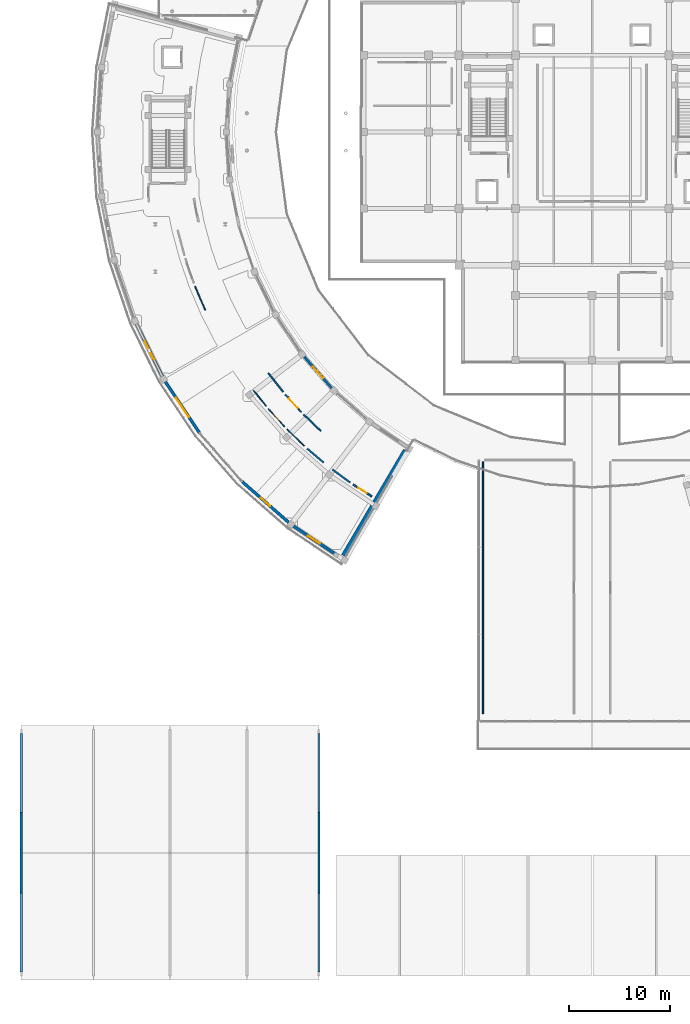
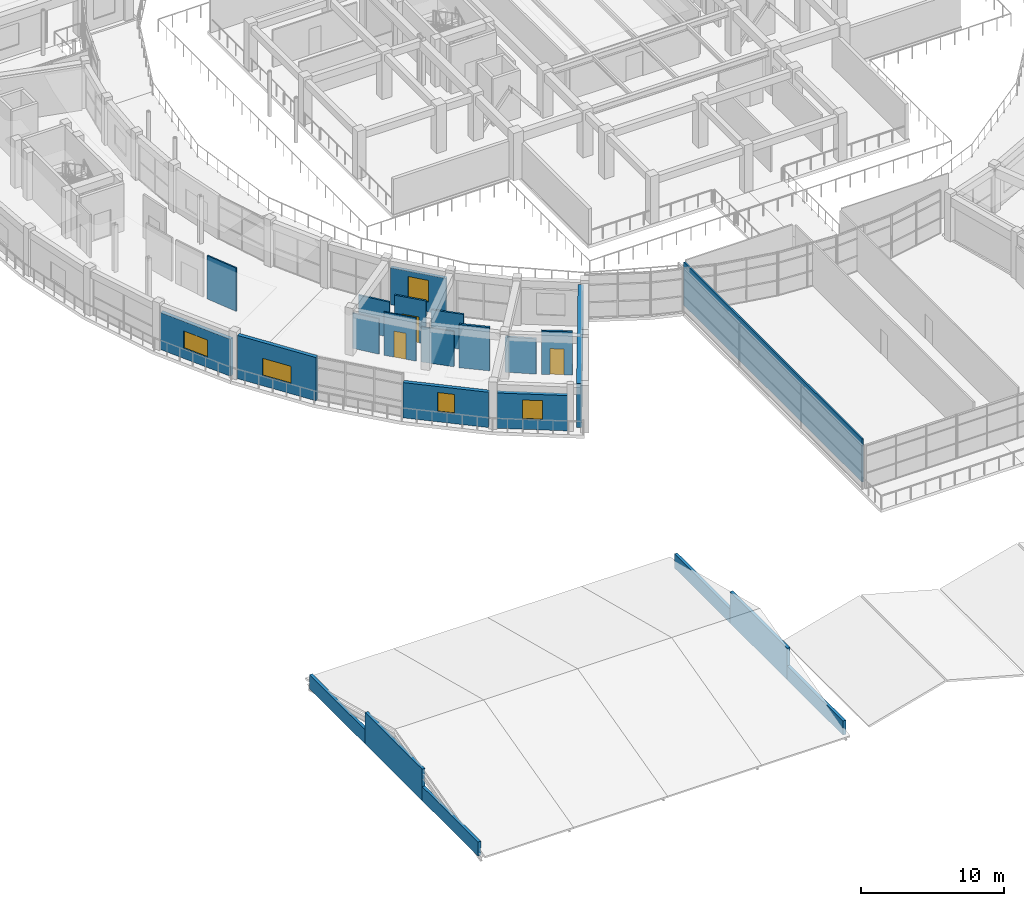
# One storey, part 53 of 83: 23 walls, 5 windows, 3 doors, 8 openings.
"""IFC4 building model written with IfcOpenShell, lengths in metres."""

from ifc_helpers import new_model, si_unit, direction, frame, frame_2d, origin, place, context, subcontext, project, spatial, rectangle, extrude, material, layer, layer_set, type_object, element, fill, save


model = new_model("IFC4")

# Units and contexts
model_context = context("Model", 3, precision=1e-05, world=origin(), true_north=direction((0.0, 1.0)))
body_context = subcontext(model_context, "Body", "Model", "MODEL_VIEW")
ifc_project = project(units=[si_unit("LENGTHUNIT", "METRE"), si_unit("AREAUNIT", "SQUARE_METRE"), si_unit("VOLUMEUNIT", "CUBIC_METRE"), si_unit("PLANEANGLEUNIT", "RADIAN"), si_unit("MASSUNIT", "GRAM", prefix="KILO")], contexts=[model_context])

# Site, building, storey
site_placement = place(None, origin())
site = spatial("IfcSite", under=ifc_project, at=site_placement, CompositionType="ELEMENT")
building_placement = place(site_placement, origin())
building = spatial("IfcBuilding", under=site, at=building_placement, Name="Saryqyr Civic Hall", CompositionType="ELEMENT")
storey_placement = place(building_placement, frame((0.0, 0.0, 9.14990234375)))
storey = spatial("IfcBuildingStorey", under=building, at=storey_placement, Name="L02", CompositionType="ELEMENT", Elevation=9.14990234375)

# Wall, opening, window
ifc_material_1 = material(Name="Precast concrete C40/50", Category="concrete")
ifc_layer_1 = layer(ifc_material_1, 0.239990234375, Name="Precast concrete C40/50")
ifc_layer_set_1 = layer_set([ifc_layer_1], Name="Precast concrete C40/50")
wall_type_1 = type_object("IfcWallType", Name="ENV-WAL-EXT-240", PredefinedType="STANDARD", material=ifc_layer_set_1)
wall_1_placement = place(storey_placement, frame((28.48681640625, 61.727783203125, 0.0), z_axis=(0.0, 0.0, 1.0), x_axis=(0.659315893108, -0.751866047308, 0.0)))
wall_1 = element("IfcWall", 1, at=wall_1_placement, inside=storey, type_object=wall_type_1, Name="Exterior wall V4-EWI-L02-07", PredefinedType="STANDARD", context=body_context, shape_type="SweptSolid", body=[
    extrude(rectangle(XDim=4.10986328125, YDim=0.239990234375, at=frame_2d((2.054931640625, 0.0))), origin(), (0.0, 0.0, 1.0), 3.1650390625),
])
opening_1_placement = place(wall_1_placement, frame((1.304931640625, 0.0, 0.85009765625)))
opening_1 = element("IfcOpeningElement", 2, at=opening_1_placement, cuts=wall_1, Name="Opening W-26", PredefinedType="OPENING", context=body_context, shape_type="SweptSolid", body=[
    extrude(rectangle(XDim=1.5, YDim=1.85009765625, at=frame_2d((0.75, 0.925048828125))), frame((0.0, 0.1298828125, 0.0), z_axis=(0.0, -1.0, 0.0), x_axis=(1.0, 0.0, 0.0)), (0.0, 0.0, 1.0), 0.260009765625),
])
ifc_material_2 = material(Name="Anodised aluminium and triple low-E glass", Category="aluminium")
window_type_1 = type_object("IfcWindowType", Name="ENV-WIN-W26", PartitioningType="SINGLE_PANEL", PredefinedType="WINDOW", material=ifc_material_2)
window_1_placement = place(opening_1_placement, origin())
window_1 = element("IfcWindow", 3, at=window_1_placement, inside=storey, type_object=window_type_1, Name="Courtyard window V4-L02-07", OverallHeight=1.85009765625, OverallWidth=1.5, PartitioningType="SINGLE_PANEL", PredefinedType="WINDOW", context=body_context, shape_type="SweptSolid", body=[
    extrude(rectangle(XDim=1.5, YDim=1.85009765625, at=frame_2d((0.75, 0.925048828125))), frame((0.0, 0.030029296875, 0.0), z_axis=(0.0, -1.0, 0.0), x_axis=(1.0, 0.0, 0.0)), (0.0, 0.0, 1.0), 0.06005859375),
])
fill(opening_1, window_1)

# Walls
wall_2_placement = place(storey_placement, frame((0.449951171875, 0.800048828125, -0.39990234375), z_axis=(0.0, 0.0, 1.0), x_axis=(0.0, 1.0, 0.0)))
element("IfcWall", 4, at=wall_2_placement, inside=storey, type_object=wall_type_1, Name="Boulevard gatehouse gable wall W-W1", PredefinedType="STANDARD", context=body_context, shape_type="SweptSolid", body=[
    extrude(rectangle(XDim=7.800048828125, YDim=0.239990234375, at=frame_2d((3.89990234375, 0.0))), origin(), (0.0, 0.0, 1.0), 1.199951171875),
])
wall_3_placement = place(storey_placement, frame((0.449951171875, 8.60009765625, -0.39990234375), z_axis=(0.0, 0.0, 1.0), x_axis=(0.0, 1.0, 0.0)))
element("IfcWall", 5, at=wall_3_placement, inside=storey, type_object=wall_type_1, Name="Boulevard gatehouse gable wall W-W2", PredefinedType="STANDARD", context=body_context, shape_type="SweptSolid", body=[
    extrude(rectangle(XDim=8.0, YDim=0.239990234375, at=frame_2d((4.0, 0.0))), origin(), (0.0, 0.0, 1.0), 2.699951171875),
])
wall_4_placement = place(storey_placement, frame((0.449951171875, 16.60009765625, -0.39990234375), z_axis=(0.0, 0.0, 1.0), x_axis=(0.0, 1.0, 0.0)))
element("IfcWall", 6, at=wall_4_placement, inside=storey, type_object=wall_type_1, Name="Boulevard gatehouse gable wall W-W3", PredefinedType="STANDARD", context=body_context, shape_type="SweptSolid", body=[
    extrude(rectangle(XDim=7.7998046875, YDim=0.239990234375, at=frame_2d((3.89990234375, 0.0))), origin(), (0.0, 0.0, 1.0), 1.199951171875),
])
wall_5_placement = place(storey_placement, frame((29.949951171875, 8.60009765625, -0.39990234375), z_axis=(0.0, 0.0, 1.0), x_axis=(0.0, -1.0, 0.0)))
element("IfcWall", 7, at=wall_5_placement, inside=storey, type_object=wall_type_1, Name="Boulevard gatehouse gable wall W-E1", PredefinedType="STANDARD", context=body_context, shape_type="SweptSolid", body=[
    extrude(rectangle(XDim=7.800048828125, YDim=0.239990234375, at=frame_2d((3.89990234375, 0.0))), origin(), (0.0, 0.0, 1.0), 1.199951171875),
])
wall_6_placement = place(storey_placement, frame((29.949951171875, 16.60009765625, -0.39990234375), z_axis=(0.0, 0.0, 1.0), x_axis=(0.0, -1.0, 0.0)))
element("IfcWall", 8, at=wall_6_placement, inside=storey, type_object=wall_type_1, Name="Boulevard gatehouse gable wall W-E2", PredefinedType="STANDARD", context=body_context, shape_type="SweptSolid", body=[
    extrude(rectangle(XDim=8.0, YDim=0.239990234375, at=frame_2d((4.0, 0.0))), origin(), (0.0, 0.0, 1.0), 2.699951171875),
])
wall_7_placement = place(storey_placement, frame((29.949951171875, 24.39990234375, -0.39990234375), z_axis=(0.0, 0.0, 1.0), x_axis=(0.0, -1.0, 0.0)))
element("IfcWall", 9, at=wall_7_placement, inside=storey, type_object=wall_type_1, Name="Boulevard gatehouse gable wall W-E3", PredefinedType="STANDARD", context=body_context, shape_type="SweptSolid", body=[
    extrude(rectangle(XDim=7.7998046875, YDim=0.239990234375, at=frame_2d((3.89990234375, 0.0))), origin(), (0.0, 0.0, 1.0), 1.199951171875),
])

# Wall, opening, window
ifc_layer_2 = layer(ifc_material_1, 0.2900390625, Name="Precast concrete C40/50")
ifc_layer_set_2 = layer_set([ifc_layer_2], Name="Precast concrete C40/50")
wall_type_2 = type_object("IfcWallType", Name="ENV-WAL-EXT-290", PredefinedType="STANDARD", material=ifc_layer_set_2)
wall_8_placement = place(storey_placement, frame((14.448974609375, 59.735107421875, 0.0), z_axis=(0.0, 0.0, 1.0), x_axis=(-0.442328593944, 0.89685306209, 0.0)))
wall_8 = element("IfcWall", 10, at=wall_8_placement, inside=storey, type_object=wall_type_2, Name="Exterior wall V4-EWO-L02-05", PredefinedType="STANDARD", context=body_context, shape_type="SweptSolid", body=[
    extrude(rectangle(XDim=5.885498046875, YDim=0.2900390625, at=frame_2d((2.94287109375, 0.0))), origin(), (0.0, 0.0, 1.0), 3.1650390625),
])
opening_2_placement = place(wall_8_placement, frame((1.943115234375, 0.0, 0.85009765625)))
opening_2 = element("IfcOpeningElement", 11, at=opening_2_placement, cuts=wall_8, Name="Opening W-14", PredefinedType="OPENING", context=body_context, shape_type="SweptSolid", body=[
    extrude(rectangle(XDim=2.0, YDim=1.5, at=frame_2d((1.0, 0.75))), frame((0.0, 0.155029296875, 0.0), z_axis=(0.0, -1.0, 0.0), x_axis=(1.0, 0.0, 0.0)), (0.0, 0.0, 1.0), 0.31005859375),
])
window_type_2 = type_object("IfcWindowType", Name="ENV-WIN-W14", PartitioningType="SINGLE_PANEL", PredefinedType="WINDOW", material=ifc_material_2)
window_2_placement = place(opening_2_placement, origin())
window_2 = element("IfcWindow", 12, at=window_2_placement, inside=storey, type_object=window_type_2, Name="Exterior ribbon window V4-L02-05", OverallHeight=1.5, OverallWidth=2.0, PartitioningType="SINGLE_PANEL", PredefinedType="WINDOW", context=body_context, shape_type="SweptSolid", body=[
    extrude(rectangle(XDim=2.0, YDim=1.5, at=frame_2d((1.0, 0.75))), frame((0.0, 0.030029296875, 0.0), z_axis=(0.0, -1.0, 0.0), x_axis=(1.0, 0.0, 0.0)), (0.0, 0.0, 1.0), 0.06005859375),
])
fill(opening_2, window_2)

wall_9_placement = place(storey_placement, frame((18.125732421875, 54.170654296875, 0.0), z_axis=(0.0, 0.0, 1.0), x_axis=(-0.555591845488, 0.831455170907, 0.0)))
wall_9 = element("IfcWall", 13, at=wall_9_placement, inside=storey, type_object=wall_type_2, Name="Exterior wall V4-EWO-L02-06", PredefinedType="STANDARD", context=body_context, shape_type="SweptSolid", body=[
    extrude(rectangle(XDim=6.126953125, YDim=0.2900390625, at=frame_2d((3.0634765625, 0.0))), origin(), (0.0, 0.0, 1.0), 3.7001953125),
])
opening_3_placement = place(wall_9_placement, frame((1.93798828125, 0.0, 0.85009765625)))
opening_3 = element("IfcOpeningElement", 14, at=opening_3_placement, cuts=wall_9, Name="Opening W-15", PredefinedType="OPENING", context=body_context, shape_type="SweptSolid", body=[
    extrude(rectangle(XDim=2.25, YDim=1.5, at=frame_2d((1.125, 0.75))), frame((0.0, 0.155029296875, 0.0), z_axis=(0.0, -1.0, 0.0), x_axis=(1.0, 0.0, 0.0)), (0.0, 0.0, 1.0), 0.31005859375),
])
window_type_3 = type_object("IfcWindowType", Name="ENV-WIN-W15", PartitioningType="SINGLE_PANEL", PredefinedType="WINDOW", material=ifc_material_2)
window_3_placement = place(opening_3_placement, origin())
window_3 = element("IfcWindow", 15, at=window_3_placement, inside=storey, type_object=window_type_3, Name="Exterior ribbon window V4-L02-06", OverallHeight=1.5, OverallWidth=2.25, PartitioningType="SINGLE_PANEL", PredefinedType="WINDOW", context=body_context, shape_type="SweptSolid", body=[
    extrude(rectangle(XDim=2.25, YDim=1.5, at=frame_2d((1.125, 0.75))), frame((0.0, 0.030029296875, 0.0), z_axis=(0.0, -1.0, 0.0), x_axis=(1.0, 0.0, 0.0)), (0.0, 0.0, 1.0), 0.06005859375),
])
fill(opening_3, window_3)

wall_10_placement = place(storey_placement, frame((26.935791015625, 45.331787109375, 0.0), z_axis=(0.0, 0.0, 1.0), x_axis=(-0.751841992355, 0.659343323718, 0.0)))
wall_10 = element("IfcWall", 16, at=wall_10_placement, inside=storey, type_object=wall_type_2, Name="Exterior wall V4-EWO-L02-08", PredefinedType="STANDARD", context=body_context, shape_type="SweptSolid", body=[
    extrude(rectangle(XDim=6.096923828125, YDim=0.2900390625, at=frame_2d((3.04833984375, 0.0))), origin(), (0.0, 0.0, 1.0), 3.01513671875),
])
opening_4_placement = place(wall_10_placement, frame((2.447998046875, 0.0, 0.85009765625)))
opening_4 = element("IfcOpeningElement", 17, at=opening_4_placement, cuts=wall_10, Name="Opening W-17", PredefinedType="OPENING", context=body_context, shape_type="SweptSolid", body=[
    extrude(rectangle(XDim=1.199951171875, YDim=1.64990234375, at=frame_2d((0.60009765625, 0.824951171875))), frame((0.0, 0.155029296875, 0.0), z_axis=(0.0, -1.0, 0.0), x_axis=(1.0, 0.0, 0.0)), (0.0, 0.0, 1.0), 0.31005859375),
])
window_type_4 = type_object("IfcWindowType", Name="ENV-WIN-W17", PartitioningType="SINGLE_PANEL", PredefinedType="WINDOW", material=ifc_material_2)
window_4_placement = place(opening_4_placement, origin())
window_4 = element("IfcWindow", 18, at=window_4_placement, inside=storey, type_object=window_type_4, Name="Exterior ribbon window V4-L02-08", OverallHeight=1.64990234375, OverallWidth=1.199951171875, PartitioningType="SINGLE_PANEL", PredefinedType="WINDOW", context=body_context, shape_type="SweptSolid", body=[
    extrude(rectangle(XDim=1.199951171875, YDim=1.64990234375, at=frame_2d((0.60009765625, 0.824951171875))), frame((0.0, 0.030029296875, 0.0), z_axis=(0.0, -1.0, 0.0), x_axis=(1.0, 0.0, 0.0)), (0.0, 0.0, 1.0), 0.06005859375),
])
fill(opening_4, window_4)

wall_11_placement = place(storey_placement, frame((31.49365234375, 42.2373046875, 0.0), z_axis=(0.0, 0.0, 1.0), x_axis=(-0.831469224941, 0.555570812747, 0.0)))
wall_11 = element("IfcWall", 19, at=wall_11_placement, inside=storey, type_object=wall_type_2, Name="Exterior wall V4-EWO-L02-09", PredefinedType="STANDARD", context=body_context, shape_type="SweptSolid", body=[
    extrude(rectangle(XDim=4.91650390625, YDim=0.2900390625, at=frame_2d((2.458251953125, 0.0))), origin(), (0.0, 0.0, 1.0), 3.01513671875),
])
opening_5_placement = place(wall_11_placement, frame((1.758056640625, 0.0, 0.85009765625)))
opening_5 = element("IfcOpeningElement", 20, at=opening_5_placement, cuts=wall_11, Name="Opening W-18", PredefinedType="OPENING", context=body_context, shape_type="SweptSolid", body=[
    extrude(rectangle(XDim=1.39990234375, YDim=1.64990234375, at=frame_2d((0.699951171875, 0.824951171875))), frame((0.0, 0.155029296875, 0.0), z_axis=(0.0, -1.0, 0.0), x_axis=(1.0, 0.0, 0.0)), (0.0, 0.0, 1.0), 0.31005859375),
])
window_type_5 = type_object("IfcWindowType", Name="ENV-WIN-W18", PartitioningType="SINGLE_PANEL", PredefinedType="WINDOW", material=ifc_material_2)
window_5_placement = place(opening_5_placement, origin())
window_5 = element("IfcWindow", 21, at=window_5_placement, inside=storey, type_object=window_type_5, Name="Exterior ribbon window V4-L02-09", OverallHeight=1.64990234375, OverallWidth=1.39990234375, PartitioningType="SINGLE_PANEL", PredefinedType="WINDOW", context=body_context, shape_type="SweptSolid", body=[
    extrude(rectangle(XDim=1.39990234375, YDim=1.64990234375, at=frame_2d((0.699951171875, 0.824951171875))), frame((0.0, 0.030029296875, 0.0), z_axis=(0.0, -1.0, 0.0), x_axis=(1.0, 0.0, 0.0)), (0.0, 0.0, 1.0), 0.06005859375),
])
fill(opening_5, window_5)

# Walls
ifc_material_3 = material(Name="Concrete C40/50", Category="concrete")
ifc_layer_3 = layer(ifc_material_3, 0.3798828125, Name="Concrete C40/50")
ifc_layer_set_3 = layer_set([ifc_layer_3], Name="Concrete C40/50")
wall_type_3 = type_object("IfcWallType", Name="ENV-WAL-PTY-380", PredefinedType="SHEAR", material=ifc_layer_set_3)
wall_12_placement = place(storey_placement, frame((38.47705078125, 52.4912109375, 0.0), z_axis=(0.0, 0.0, 1.0), x_axis=(-0.506804958987, -0.862060748177, 0.0)))
element("IfcWall", 22, at=wall_12_placement, inside=storey, type_object=wall_type_3, Name="Exterior wall V4-JNTW-B-L02", PredefinedType="SHEAR", context=body_context, shape_type="SweptSolid", body=[
    extrude(rectangle(XDim=12.099853515625, YDim=0.3798828125, at=frame_2d((6.0498046875, 0.0))), origin(), (0.0, 0.0, 1.0), 3.75),
])
ifc_material_4 = material(Name="Lightweight demountable partition", Category="gypsum")
ifc_layer_4 = layer(ifc_material_4, 0.094970703125, Name="Lightweight demountable partition")
ifc_layer_set_4 = layer_set([ifc_layer_4], Name="Lightweight demountable partition")
wall_type_4 = type_object("IfcWallType", Name="INT-WAL-PRT-095", PredefinedType="PARTITIONING", material=ifc_layer_set_4)
wall_13_placement = place(storey_placement, frame((23.462158203125, 58.409912109375, 0.0), z_axis=(0.0, 0.0, 1.0), x_axis=(0.621895340231, -0.78310036764, 0.0)))
element("IfcWall", 23, at=wall_13_placement, inside=storey, type_object=wall_type_4, Name="Interior partition PRT-SP-V4-L02-R03-W1", PredefinedType="PARTITIONING", context=body_context, shape_type="SweptSolid", body=[
    extrude(rectangle(XDim=2.002197265625, YDim=0.094970703125, at=frame_2d((1.0009765625, 0.0))), origin(), (0.0, 0.0, 1.0), 3.01513671875),
])

# Wall, opening, door
wall_14_placement = place(storey_placement, frame((24.93994140625, 56.567626953125, 0.0), z_axis=(0.0, 0.0, 1.0), x_axis=(0.671247426607, -0.741233358851, 0.0)))
wall_14 = element("IfcWall", 24, at=wall_14_placement, inside=storey, type_object=wall_type_4, Name="Interior partition PRT-SP-V4-L02-R03-W2", PredefinedType="PARTITIONING", context=body_context, shape_type="SweptSolid", body=[
    extrude(rectangle(XDim=2.3720703125, YDim=0.094970703125, at=frame_2d((1.18603515625, 0.0))), origin(), (0.0, 0.0, 1.0), 3.7001953125),
])
opening_6_placement = place(wall_14_placement, frame((0.736083984375, 0.0, 0.0)))
opening_6 = element("IfcOpeningElement", 25, at=opening_6_placement, cuts=wall_14, Name="Opening D-09", PredefinedType="OPENING", context=body_context, shape_type="SweptSolid", body=[
    extrude(rectangle(XDim=0.89990234375, YDim=2.219970703125, at=frame_2d((0.449951171875, 1.10986328125))), frame((0.0, 0.057373046875, 0.0), z_axis=(0.0, -1.0, 0.0), x_axis=(1.0, 0.0, 0.0)), (0.0, 0.0, 1.0), 0.114990234375),
])
ifc_material_5 = material(Name="Acoustic solid-core oak veneer", Category="wood")
door_type_1 = type_object("IfcDoorType", Name="INT-DR-D-09", OperationType="NOTDEFINED", PredefinedType="DOOR", material=ifc_material_5)
door_1_placement = place(opening_6_placement, origin())
door_1 = element("IfcDoor", 26, at=door_1_placement, inside=storey, type_object=door_type_1, Name="Interior door Committee Caucus & Witness Briefing Room", OperationType="SINGLE_SWING_RIGHT", OverallHeight=2.219970703125, OverallWidth=0.89990234375, PredefinedType="DOOR", context=body_context, shape_type="SweptSolid", body=[
    extrude(rectangle(XDim=0.89990234375, YDim=2.219970703125, at=frame_2d((0.449951171875, 1.10986328125))), frame((0.0, 0.02490234375, 0.0), z_axis=(0.0, -1.0, 0.0), x_axis=(1.0, 0.0, 0.0)), (0.0, 0.0, 1.0), 0.050048828125),
])
fill(opening_6, door_1)

# Walls
wall_15_placement = place(storey_placement, frame((26.7822265625, 54.550537109375, 0.0), z_axis=(0.0, 0.0, 1.0), x_axis=(0.717780363552, -0.696269595559, 0.0)))
element("IfcWall", 27, at=wall_15_placement, inside=storey, type_object=wall_type_4, Name="Interior partition PRT-SP-V4-L02-R03-W3", PredefinedType="PARTITIONING", context=body_context, shape_type="SweptSolid", body=[
    extrude(rectangle(XDim=2.3720703125, YDim=0.094970703125, at=frame_2d((1.18603515625, 0.0))), origin(), (0.0, 0.0, 1.0), 3.01513671875),
])
ifc_material_6 = material(Name="Moisture-resistant gypsum partition", Category="gypsum")
ifc_layer_5 = layer(ifc_material_6, 0.110107421875, Name="Moisture-resistant gypsum partition")
ifc_layer_set_5 = layer_set([ifc_layer_5], Name="Moisture-resistant gypsum partition")
wall_type_5 = type_object("IfcWallType", Name="INT-WAL-PRT-110", PredefinedType="PARTITIONING", material=ifc_layer_set_5)
wall_16_placement = place(storey_placement, frame((17.677490234375, 68.7001953125, 0.0), z_axis=(0.0, 0.0, 1.0), x_axis=(0.390675039695, -0.920528659716, 0.0)))
element("IfcWall", 28, at=wall_16_placement, inside=storey, type_object=wall_type_5, Name="Interior partition PRT-SP-V4-L02-R02-W2", PredefinedType="PARTITIONING", context=body_context, shape_type="SweptSolid", body=[
    extrude(rectangle(XDim=2.553955078125, YDim=0.110107421875, at=frame_2d((1.27685546875, 0.0))), origin(), (0.0, 0.0, 1.0), 3.7001953125),
])
ifc_material_7 = material(Name="Metal-stud gypsum board partition", Category="gypsum")
ifc_layer_6 = layer(ifc_material_7, 0.125, Name="Metal-stud gypsum board partition")
ifc_layer_set_6 = layer_set([ifc_layer_6], Name="Metal-stud gypsum board partition")
wall_type_6 = type_object("IfcWallType", Name="INT-WAL-PRT-125", PredefinedType="PARTITIONING", material=ifc_layer_set_6)
wall_17_placement = place(storey_placement, frame((46.199951171875, 26.3798828125, 0.0), z_axis=(0.0, 0.0, 1.0), x_axis=(0.0, 1.0, 0.0)))
element("IfcWall", 29, at=wall_17_placement, inside=storey, type_object=wall_type_6, Name="Interior partition PRT-SP-V2-L02-SGAL-W2", PredefinedType="PARTITIONING", context=body_context, shape_type="SweptSolid", body=[
    extrude(rectangle(XDim=24.940185546875, YDim=0.125, at=frame_2d((12.47021484375, 0.0))), origin(), (0.0, 0.0, 1.0), 3.690185546875),
])

# Wall, opening, door
ifc_layer_7 = layer(ifc_material_7, 0.139892578125, Name="Metal-stud gypsum board partition")
ifc_layer_set_7 = layer_set([ifc_layer_7], Name="Metal-stud gypsum board partition")
wall_type_7 = type_object("IfcWallType", Name="INT-WAL-PRT-140", PredefinedType="PARTITIONING", material=ifc_layer_set_7)
wall_18_placement = place(storey_placement, frame((28.186279296875, 56.263427734375, 0.0), z_axis=(0.0, 0.0, 1.0), x_axis=(-0.672224743142, 0.740347144728, 0.0)))
wall_18 = element("IfcWall", 30, at=wall_18_placement, inside=storey, type_object=wall_type_7, Name="Interior partition PRT-SP-V4-L02-R06-W1", PredefinedType="PARTITIONING", context=body_context, shape_type="SweptSolid", body=[
    extrude(rectangle(XDim=2.3330078125, YDim=0.139892578125, at=frame_2d((1.16650390625, 0.0))), origin(), (0.0, 0.0, 1.0), 3.7001953125),
])
opening_7_placement = place(wall_18_placement, frame((0.51708984375, 0.0, 0.0)))
opening_7 = element("IfcOpeningElement", 31, at=opening_7_placement, cuts=wall_18, Name="Opening D-12", PredefinedType="OPENING", context=body_context, shape_type="SweptSolid", body=[
    extrude(rectangle(XDim=1.300048828125, YDim=2.219970703125, at=frame_2d((0.64990234375, 1.10986328125))), frame((0.0, 0.079833984375, 0.0), z_axis=(0.0, -1.0, 0.0), x_axis=(1.0, 0.0, 0.0)), (0.0, 0.0, 1.0), 0.159912109375),
])
door_type_2 = type_object("IfcDoorType", Name="INT-DR-D-12", OperationType="NOTDEFINED", PredefinedType="DOOR", material=ifc_material_5)
door_2_placement = place(opening_7_placement, origin())
door_2 = element("IfcDoor", 32, at=door_2_placement, inside=storey, type_object=door_type_2, Name="Interior door Land Cadastre Review Office", OperationType="SINGLE_SWING_LEFT", OverallHeight=2.219970703125, OverallWidth=1.300048828125, PredefinedType="DOOR", context=body_context, shape_type="SweptSolid", body=[
    extrude(rectangle(XDim=1.300048828125, YDim=2.219970703125, at=frame_2d((0.64990234375, 1.10986328125))), frame((0.0, 0.02490234375, 0.0), z_axis=(0.0, -1.0, 0.0), x_axis=(1.0, 0.0, 0.0)), (0.0, 0.0, 1.0), 0.050048828125),
])
fill(opening_7, door_2)

# Walls
wall_19_placement = place(storey_placement, frame((26.385009765625, 58.26513671875, 0.0), z_axis=(0.0, 0.0, 1.0), x_axis=(-0.620820865168, 0.783952456066, 0.0)))
element("IfcWall", 33, at=wall_19_placement, inside=storey, type_object=wall_type_7, Name="Interior partition PRT-SP-V4-L02-R06-W2", PredefinedType="PARTITIONING", context=body_context, shape_type="SweptSolid", body=[
    extrude(rectangle(XDim=2.333251953125, YDim=0.139892578125, at=frame_2d((1.16650390625, 0.0))), origin(), (0.0, 0.0, 1.0), 3.01513671875),
])
wall_20_placement = place(storey_placement, frame((30.117919921875, 54.387451171875, 0.0), z_axis=(0.0, 0.0, 1.0), x_axis=(-0.720477050032, 0.69347878149, 0.0)))
element("IfcWall", 34, at=wall_20_placement, inside=storey, type_object=wall_type_7, Name="Interior partition PRT-SP-V4-L02-R06-W3", PredefinedType="PARTITIONING", context=body_context, shape_type="SweptSolid", body=[
    extrude(rectangle(XDim=2.3330078125, YDim=0.139892578125, at=frame_2d((1.16650390625, 0.0))), origin(), (0.0, 0.0, 1.0), 3.01513671875),
])
ifc_material_8 = material(Name="Acoustic double-stud gypsum board", Category="gypsum")
ifc_layer_8 = layer(ifc_material_8, 0.169921875, Name="Acoustic double-stud gypsum board")
ifc_layer_set_8 = layer_set([ifc_layer_8], Name="Acoustic double-stud gypsum board")
wall_type_8 = type_object("IfcWallType", Name="INT-WAL-PRT-170", PredefinedType="PARTITIONING", material=ifc_layer_set_8)
wall_21_placement = place(storey_placement, frame((31.27978515625, 50.563232421875, 0.0), z_axis=(0.0, 0.0, 1.0), x_axis=(0.805611783676, -0.59244379818, 0.0)))
element("IfcWall", 35, at=wall_21_placement, inside=storey, type_object=wall_type_8, Name="Interior partition PRT-SP-V4-L02-R04-W1", PredefinedType="PARTITIONING", context=body_context, shape_type="SweptSolid", body=[
    extrude(rectangle(XDim=2.18408203125, YDim=0.169921875, at=frame_2d((1.092041015625, 0.0))), origin(), (0.0, 0.0, 1.0), 3.01513671875),
])

# Wall, opening, door
wall_22_placement = place(storey_placement, frame((33.336181640625, 49.066162109375, 0.0), z_axis=(0.0, 0.0, 1.0), x_axis=(0.844539400536, -0.535493418206, 0.0)))
wall_22 = element("IfcWall", 36, at=wall_22_placement, inside=storey, type_object=wall_type_8, Name="Interior partition PRT-SP-V4-L02-R04-W2", PredefinedType="PARTITIONING", context=body_context, shape_type="SweptSolid", body=[
    extrude(rectangle(XDim=2.184326171875, YDim=0.169921875, at=frame_2d((1.09228515625, 0.0))), origin(), (0.0, 0.0, 1.0), 3.7001953125),
])
opening_8_placement = place(wall_22_placement, frame((0.592041015625, 0.0, 0.0)))
opening_8 = element("IfcOpeningElement", 37, at=opening_8_placement, cuts=wall_22, Name="Opening D-10", PredefinedType="OPENING", context=body_context, shape_type="SweptSolid", body=[
    extrude(rectangle(XDim=1.0, YDim=2.219970703125, at=frame_2d((0.5, 1.10986328125))), frame((0.0, 0.094970703125, 0.0), z_axis=(0.0, -1.0, 0.0), x_axis=(1.0, 0.0, 0.0)), (0.0, 0.0, 1.0), 0.18994140625),
])
door_type_3 = type_object("IfcDoorType", Name="INT-DR-D-10", OperationType="NOTDEFINED", PredefinedType="DOOR", material=ifc_material_5)
door_3_placement = place(opening_8_placement, origin())
door_3 = element("IfcDoor", 38, at=door_3_placement, inside=storey, type_object=door_type_3, Name="Interior door Staff & Accessible MGN WC L02-W", OperationType="SINGLE_SWING_LEFT", OverallHeight=2.219970703125, OverallWidth=1.0, PredefinedType="DOOR", context=body_context, shape_type="SweptSolid", body=[
    extrude(rectangle(XDim=1.0, YDim=2.219970703125, at=frame_2d((0.5, 1.10986328125))), frame((0.0, 0.02490234375, 0.0), z_axis=(0.0, -1.0, 0.0), x_axis=(1.0, 0.0, 0.0)), (0.0, 0.0, 1.0), 0.050048828125),
])
fill(opening_8, door_3)

# Wall
wall_23_placement = place(storey_placement, frame((28.7666015625, 52.644287109375, 0.0), z_axis=(0.0, 0.0, 1.0), x_axis=(0.762765431764, -0.646675263255, 0.0)))
element("IfcWall", 39, at=wall_23_placement, inside=storey, type_object=wall_type_8, Name="Interior partition PRT-SP-V4-L02-R04-W3", PredefinedType="PARTITIONING", context=body_context, shape_type="SweptSolid", body=[
    extrude(rectangle(XDim=2.1640625, YDim=0.169921875, at=frame_2d((1.08203125, 0.0))), origin(), (0.0, 0.0, 1.0), 3.7001953125),
])

save(model, "model.ifc")
